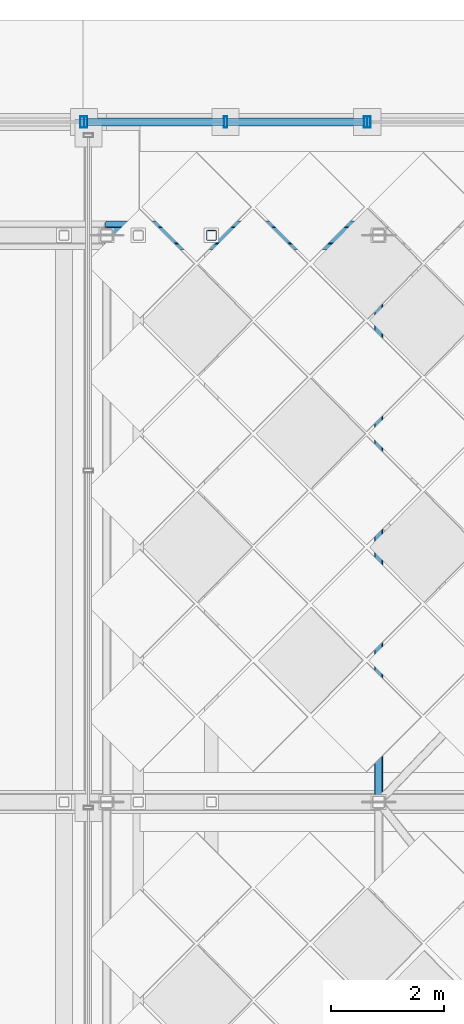
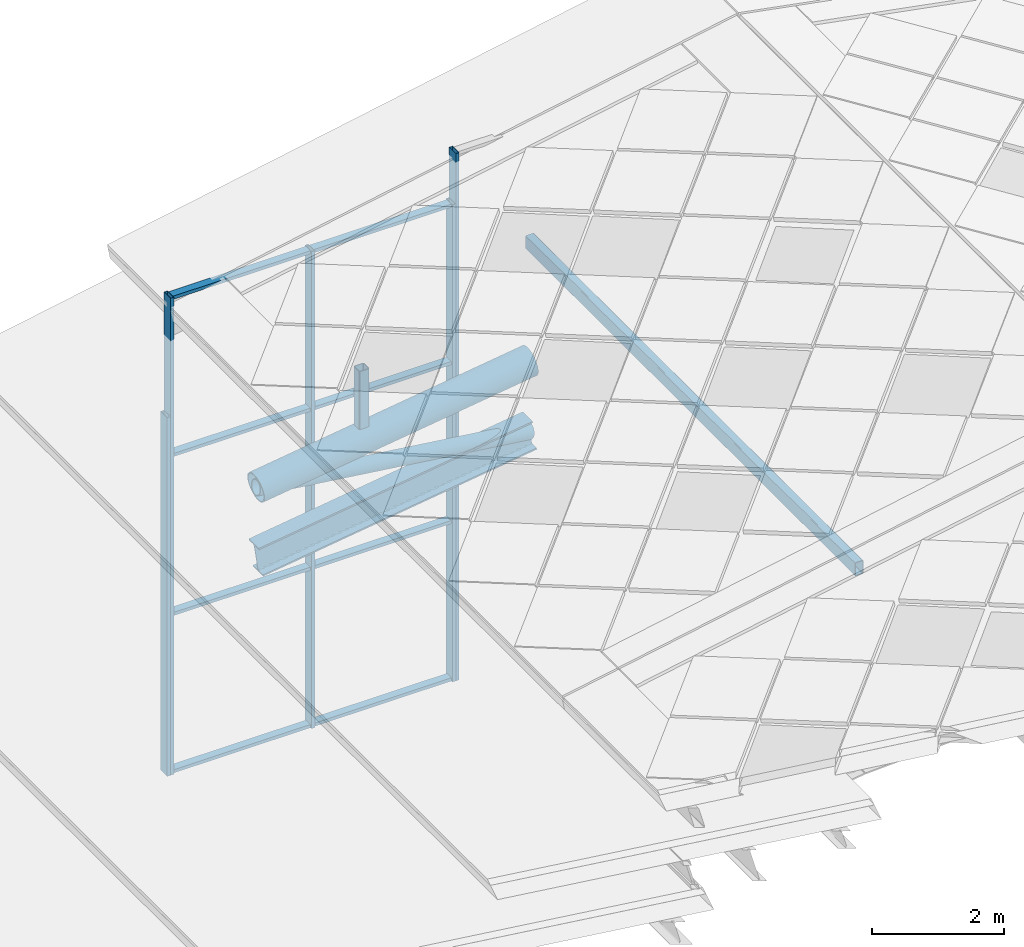
# One storey, part 35 of 117: 18 members, 3 elements without a shape of their own.
"""IFC4 building model written with IfcOpenShell, lengths in metres."""

from ifc_helpers import new_model, si_unit, direction, frame, origin, origin_2d, place, context, subcontext, project, spatial, hollow_rectangle, hollow_circle, i_section, extrude, material, material_profile, profile_set, type_object, element, aggregate, save


model = new_model("IFC4")

# Units and contexts
model_context = context("Model", 3, precision=1e-05, world=origin(), true_north=direction((0.0, 1.0)))
body_context = subcontext(model_context, "Body", "Model", "MODEL_VIEW")
ifc_project = project(units=[si_unit("LENGTHUNIT", "METRE"), si_unit("AREAUNIT", "SQUARE_METRE"), si_unit("VOLUMEUNIT", "CUBIC_METRE"), si_unit("PLANEANGLEUNIT", "RADIAN"), si_unit("MASSUNIT", "GRAM", prefix="KILO")], contexts=[model_context])

# Site, building, storey
site_placement = place(None, origin())
site = spatial("IfcSite", under=ifc_project, at=site_placement, CompositionType="ELEMENT")
building_placement = place(site_placement, origin())
building = spatial("IfcBuilding", under=site, at=building_placement, Name="Merenkruunu Market Hall", CompositionType="ELEMENT")
storey_placement = place(building_placement, frame((0.0, 0.0, 22.800048828125)))
storey = spatial("IfcBuildingStorey", under=building, at=storey_placement, Name="RF", CompositionType="ELEMENT", Elevation=22.800048828125)

# Members
ifc_material_1 = material(Name="Steel S355ML", Category="steel")
ifc_material_profile_1 = material_profile(ifc_material_1, hollow_circle(Radius=0.25390625, WallThickness=0.02001953125, at=origin_2d()), Name="CHS 508x20")
ifc_profile_set_1 = profile_set([ifc_material_profile_1], Name="Steel S355ML")
member_type_1 = type_object("IfcMemberType", Name="Arch Truss Chord TC01", PredefinedType="CHORD", material=ifc_profile_set_1)
member_1_placement = place(storey_placement, frame((19.199951171875, 109.60009765625, -2.340087890625), z_axis=(0.990338564897, 0.0, 0.138670569613), x_axis=(0.0, 1.0, 0.0)))
element("IfcMember", 1, at=member_1_placement, inside=storey, type_object=member_type_1, Name="TRUSS-AT-G-TOP-05", PredefinedType="CHORD", context=body_context, shape_type="SweptSolid", body=[
    extrude(hollow_circle(Radius=0.25390625, WallThickness=0.02001953125, at=origin_2d()), origin(), (0.0, 0.0, 1.0), 4.846923828125),
])
ifc_material_profile_2 = material_profile(ifc_material_1, i_section(OverallWidth=0.300048828125, OverallDepth=0.550048828125, WebThickness=0.014892578125, FlangeThickness=0.029052734375, FilletRadius=0.027099609375, at=origin_2d()), Name="HEB 550")
ifc_profile_set_2 = profile_set([ifc_material_profile_2], Name="Steel S355ML")
member_type_2 = type_object("IfcMemberType", Name="Arch Truss Chord TC03", PredefinedType="CHORD", material=ifc_profile_set_2)
member_2_placement = place(storey_placement, frame((19.199951171875, 109.60009765625, -3.64013671875), z_axis=(0.990338564897, 0.0, 0.138670569613), x_axis=(0.0, 1.0, 0.0)))
element("IfcMember", 2, at=member_2_placement, inside=storey, type_object=member_type_2, Name="TRUSS-AT-G-BOT-05", PredefinedType="CHORD", context=body_context, shape_type="SweptSolid", body=[
    extrude(i_section(OverallWidth=0.300048828125, OverallDepth=0.550048828125, WebThickness=0.014892578125, FlangeThickness=0.029052734375, FilletRadius=0.027099609375, at=origin_2d()), origin(), (0.0, 0.0, 1.0), 4.846923828125),
])

# Curtain wall, member
ifc_material_2 = material(Name="Powder-coated aluminium", Category="aluminium")
curtain_wall_type = type_object("IfcCurtainWallType", Name="Glazed Curtain Wall CW18", PredefinedType="USERDEFINED", material=ifc_material_2)
curtain_wall_1_placement = place(storey_placement, origin())
curtain_wall_1 = element("IfcCurtainWall", 3, at=curtain_wall_1_placement, inside=storey, type_object=curtain_wall_type, Name="CW-RF-CWM03-071", ObjectType="GLAZED_FACADE", PredefinedType="USERDEFINED")
ifc_material_profile_3 = material_profile(ifc_material_2, hollow_rectangle(XDim=0.06005859375, YDim=0.199951171875, WallThickness=0.0048828125, at=origin_2d()), Name="ALU 60x200x5")
ifc_profile_set_3 = profile_set([ifc_material_profile_3], Name="Powder-coated aluminium")
member_type_3 = type_object("IfcMemberType", Name="Curtain Wall Mullion CWM03", PredefinedType="MULLION", material=ifc_profile_set_3)
member_3_placement = place(storey_placement, frame((18.77001953125, 111.60009765625, -8.68994140625), z_axis=(0.0, 0.0, 1.0), x_axis=(1.0, 0.0, 0.0)))
member_3 = element("IfcMember", 4, at=member_3_placement, type_object=member_type_3, Name="CW18 mullion 2", PredefinedType="MULLION", context=body_context, shape_type="SweptSolid", body=[
    extrude(hollow_rectangle(XDim=0.06005859375, YDim=0.199951171875, WallThickness=0.0048828125, at=origin_2d()), origin(), (0.0, 0.0, 1.0), 6.64990234375),
])
aggregate(curtain_wall_1, [member_3])

# Curtain wall, members
curtain_wall_2_placement = place(storey_placement, origin())
curtain_wall_2 = element("IfcCurtainWall", 5, at=curtain_wall_2_placement, inside=storey, type_object=curtain_wall_type, Name="CW-RF-CWM03-072", ObjectType="GLAZED_FACADE", PredefinedType="USERDEFINED")
member_4_placement = place(storey_placement, frame((18.830078125, 111.60009765625, -8.68994140625), z_axis=(0.0, 0.0, 1.0), x_axis=(1.0, 0.0, 0.0)))
member_4 = element("IfcMember", 6, at=member_4_placement, type_object=member_type_3, Name="CW18 mullion 1", PredefinedType="MULLION", context=body_context, shape_type="SweptSolid", body=[
    extrude(hollow_rectangle(XDim=0.06005859375, YDim=0.199951171875, WallThickness=0.0048828125, at=origin_2d()), origin(), (0.0, 0.0, 1.0), 8.83984375),
])
member_5_placement = place(storey_placement, frame((21.300048828125, 111.60009765625, -8.68994140625), z_axis=(0.0, 0.0, 1.0), x_axis=(1.0, 0.0, 0.0)))
member_5 = element("IfcMember", 7, at=member_5_placement, type_object=member_type_3, Name="CW18 mullion 2", PredefinedType="MULLION", context=body_context, shape_type="SweptSolid", body=[
    extrude(hollow_rectangle(XDim=0.06005859375, YDim=0.199951171875, WallThickness=0.0048828125, at=origin_2d()), origin(), (0.0, 0.0, 1.0), 8.83984375),
])
member_6_placement = place(storey_placement, frame((23.77001953125, 111.60009765625, -8.68994140625), z_axis=(0.0, 0.0, 1.0), x_axis=(1.0, 0.0, 0.0)))
member_6 = element("IfcMember", 8, at=member_6_placement, type_object=member_type_3, Name="CW18 mullion 3", PredefinedType="MULLION", context=body_context, shape_type="SweptSolid", body=[
    extrude(hollow_rectangle(XDim=0.06005859375, YDim=0.199951171875, WallThickness=0.0048828125, at=origin_2d()), origin(), (0.0, 0.0, 1.0), 8.83984375),
])

# Curtain wall, member
curtain_wall_3_placement = place(storey_placement, origin())
curtain_wall_3 = element("IfcCurtainWall", 9, at=curtain_wall_3_placement, inside=storey, type_object=curtain_wall_type, Name="CW-RF-CWM03-073", ObjectType="GLAZED_FACADE", PredefinedType="USERDEFINED")
member_7_placement = place(storey_placement, frame((23.830078125, 111.60009765625, -8.68994140625), z_axis=(0.0, 0.0, 1.0), x_axis=(1.0, 0.0, 0.0)))
member_7 = element("IfcMember", 10, at=member_7_placement, type_object=member_type_3, Name="CW18 mullion 1", PredefinedType="MULLION", context=body_context, shape_type="SweptSolid", body=[
    extrude(hollow_rectangle(XDim=0.06005859375, YDim=0.199951171875, WallThickness=0.0048828125, at=origin_2d()), origin(), (0.0, 0.0, 1.0), 9.769775390625),
])
aggregate(curtain_wall_3, [member_7])

# Member
ifc_material_profile_4 = material_profile(ifc_material_2, hollow_rectangle(XDim=0.06005859375, YDim=0.139892578125, WallThickness=0.00390625, at=origin_2d()), Name="ALU 60x140x4")
ifc_profile_set_4 = profile_set([ifc_material_profile_4], Name="Powder-coated aluminium")
member_type_4 = type_object("IfcMemberType", Name="Curtain Wall Transom CWT02", PredefinedType="USERDEFINED", material=ifc_profile_set_4)
member_8_placement = place(storey_placement, frame((18.860107421875, 111.60009765625, -8.66015625), z_axis=(1.0, 0.0, 0.0), x_axis=(0.0, 0.0, 1.0)))
member_8 = element("IfcMember", 11, at=member_8_placement, type_object=member_type_4, Name="CW18 transom 1.1", ObjectType="TRANSOM", PredefinedType="USERDEFINED", context=body_context, shape_type="SweptSolid", body=[
    extrude(hollow_rectangle(XDim=0.06005859375, YDim=0.139892578125, WallThickness=0.00390625, at=origin_2d()), origin(), (0.0, 0.0, 1.0), 2.409912109375),
])

member_9_placement = place(storey_placement, frame((18.860107421875, 111.60009765625, -5.7431640625), z_axis=(1.0, 0.0, 0.0), x_axis=(0.0, 0.0, 1.0)))
member_9 = element("IfcMember", 12, at=member_9_placement, type_object=member_type_4, Name="CW18 transom 1.2", ObjectType="TRANSOM", PredefinedType="USERDEFINED", context=body_context, shape_type="SweptSolid", body=[
    extrude(hollow_rectangle(XDim=0.06005859375, YDim=0.139892578125, WallThickness=0.00390625, at=origin_2d()), origin(), (0.0, 0.0, 1.0), 2.409912109375),
])

member_10_placement = place(storey_placement, frame((18.860107421875, 111.60009765625, -2.797119140625), z_axis=(1.0, 0.0, 0.0), x_axis=(0.0, 0.0, 1.0)))
member_10 = element("IfcMember", 13, at=member_10_placement, type_object=member_type_4, Name="CW18 transom 1.3", ObjectType="TRANSOM", PredefinedType="USERDEFINED", context=body_context, shape_type="SweptSolid", body=[
    extrude(hollow_rectangle(XDim=0.06005859375, YDim=0.139892578125, WallThickness=0.00390625, at=origin_2d()), origin(), (0.0, 0.0, 1.0), 2.409912109375),
])

member_11_placement = place(storey_placement, frame((18.860107421875, 111.60009765625, 0.119873046875), z_axis=(1.0, 0.0, 0.0), x_axis=(0.0, 0.0, 1.0)))
member_11 = element("IfcMember", 14, at=member_11_placement, type_object=member_type_4, Name="CW18 transom 1.4", ObjectType="TRANSOM", PredefinedType="USERDEFINED", context=body_context, shape_type="SweptSolid", body=[
    extrude(hollow_rectangle(XDim=0.06005859375, YDim=0.139892578125, WallThickness=0.00390625, at=origin_2d()), origin(), (0.0, 0.0, 1.0), 2.409912109375),
])

member_12_placement = place(storey_placement, frame((21.330078125, 111.60009765625, -8.66015625), z_axis=(1.0, 0.0, 0.0), x_axis=(0.0, 0.0, 1.0)))
member_12 = element("IfcMember", 15, at=member_12_placement, type_object=member_type_4, Name="CW18 transom 2.1", ObjectType="TRANSOM", PredefinedType="USERDEFINED", context=body_context, shape_type="SweptSolid", body=[
    extrude(hollow_rectangle(XDim=0.06005859375, YDim=0.139892578125, WallThickness=0.00390625, at=origin_2d()), origin(), (0.0, 0.0, 1.0), 2.409912109375),
])

member_13_placement = place(storey_placement, frame((21.330078125, 111.60009765625, -5.7431640625), z_axis=(1.0, 0.0, 0.0), x_axis=(0.0, 0.0, 1.0)))
member_13 = element("IfcMember", 16, at=member_13_placement, type_object=member_type_4, Name="CW18 transom 2.2", ObjectType="TRANSOM", PredefinedType="USERDEFINED", context=body_context, shape_type="SweptSolid", body=[
    extrude(hollow_rectangle(XDim=0.06005859375, YDim=0.139892578125, WallThickness=0.00390625, at=origin_2d()), origin(), (0.0, 0.0, 1.0), 2.409912109375),
])

member_14_placement = place(storey_placement, frame((21.330078125, 111.60009765625, -2.797119140625), z_axis=(1.0, 0.0, 0.0), x_axis=(0.0, 0.0, 1.0)))
member_14 = element("IfcMember", 17, at=member_14_placement, type_object=member_type_4, Name="CW18 transom 2.3", ObjectType="TRANSOM", PredefinedType="USERDEFINED", context=body_context, shape_type="SweptSolid", body=[
    extrude(hollow_rectangle(XDim=0.06005859375, YDim=0.139892578125, WallThickness=0.00390625, at=origin_2d()), origin(), (0.0, 0.0, 1.0), 2.409912109375),
])

member_15_placement = place(storey_placement, frame((21.330078125, 111.60009765625, 0.119873046875), z_axis=(1.0, 0.0, 0.0), x_axis=(0.0, 0.0, 1.0)))
member_15 = element("IfcMember", 18, at=member_15_placement, type_object=member_type_4, Name="CW18 transom 2.4", ObjectType="TRANSOM", PredefinedType="USERDEFINED", context=body_context, shape_type="SweptSolid", body=[
    extrude(hollow_rectangle(XDim=0.06005859375, YDim=0.139892578125, WallThickness=0.00390625, at=origin_2d()), origin(), (0.0, 0.0, 1.0), 2.409912109375),
])

aggregate(curtain_wall_2, [member_4, member_5, member_6, member_8, member_9, member_10, member_11, member_12, member_13, member_14, member_15])

# Members
ifc_material_profile_5 = material_profile(ifc_material_1, hollow_circle(Radius=0.136474609375, WallThickness=0.012451171875, at=origin_2d()), Name="CHS 273x12.5")
ifc_profile_set_5 = profile_set([ifc_material_profile_5], Name="Steel S355ML")
member_type_5 = type_object("IfcMemberType", Name="Diagonal Sway Brace BR02", PredefinedType="BRACE", material=ifc_profile_set_5)
member_16_placement = place(storey_placement, frame((19.199951171875, 109.60009765625, -2.340087890625), z_axis=(0.991551689691, 0.0, -0.129712168551), x_axis=(0.0, 1.0, 0.0)))
element("IfcMember", 19, at=member_16_placement, inside=storey, type_object=member_type_5, Name="TRUSS-AT-G-DIAG-05", PredefinedType="BRACE", context=body_context, shape_type="SweptSolid", body=[
    extrude(hollow_circle(Radius=0.136474609375, WallThickness=0.012451171875, at=origin_2d()), origin(), (0.0, 0.0, 1.0), 4.841064453125),
])
ifc_material_3 = material(Name="Steel S355J2", Category="steel")
ifc_material_profile_6 = material_profile(ifc_material_3, hollow_rectangle(XDim=0.179931640625, YDim=0.179931640625, WallThickness=0.010009765625, InnerFilletRadius=0.010009765625, OuterFilletRadius=0.02001953125, at=origin_2d()), Name="SHS 180x180x10")
ifc_profile_set_6 = profile_set([ifc_material_profile_6], Name="Steel S355J2")
member_type_6 = type_object("IfcMemberType", Name="Diagonal Sway Brace BR05", PredefinedType="BRACE", material=ifc_profile_set_6)
member_17_placement = place(storey_placement, frame((21.050048828125, 109.60009765625, -1.839111328125), z_axis=(0.0, 0.0, 1.0), x_axis=(1.0, 0.0, 0.0)))
element("IfcMember", 20, at=member_17_placement, inside=storey, type_object=member_type_6, Name="TRUSS-AT-G-RISER-W6-2", PredefinedType="BRACE", context=body_context, shape_type="SweptSolid", body=[
    extrude(hollow_rectangle(XDim=0.179931640625, YDim=0.179931640625, WallThickness=0.010009765625, InnerFilletRadius=0.010009765625, OuterFilletRadius=0.02001953125, at=origin_2d()), origin(), (0.0, 0.0, 1.0), 1.07763671875),
])
ifc_material_profile_7 = material_profile(ifc_material_1, hollow_rectangle(XDim=0.14990234375, YDim=0.25, WallThickness=0.010009765625, InnerFilletRadius=0.010009765625, OuterFilletRadius=0.02001953125, at=origin_2d()), Name="RHS 250x150x10")
ifc_profile_set_7 = profile_set([ifc_material_profile_7], Name="Steel S355ML")
member_type_7 = type_object("IfcMemberType", Name="Roof Purlin Rafter PR04", PredefinedType="PURLIN", material=ifc_profile_set_7)
member_18_placement = place(storey_placement, frame((24.0, 99.60009765625, 0.546875), z_axis=(0.0, 1.0, 0.0), x_axis=(-1.0, 0.0, 0.0)))
element("IfcMember", 21, at=member_18_placement, inside=storey, type_object=member_type_7, Name="MEM-CROWN-MID-094", PredefinedType="PURLIN", context=body_context, shape_type="SweptSolid", body=[
    extrude(hollow_rectangle(XDim=0.14990234375, YDim=0.25, WallThickness=0.010009765625, InnerFilletRadius=0.010009765625, OuterFilletRadius=0.02001953125, at=origin_2d()), origin(), (0.0, 0.0, 1.0), 10.0),
])

save(model, "model.ifc")
